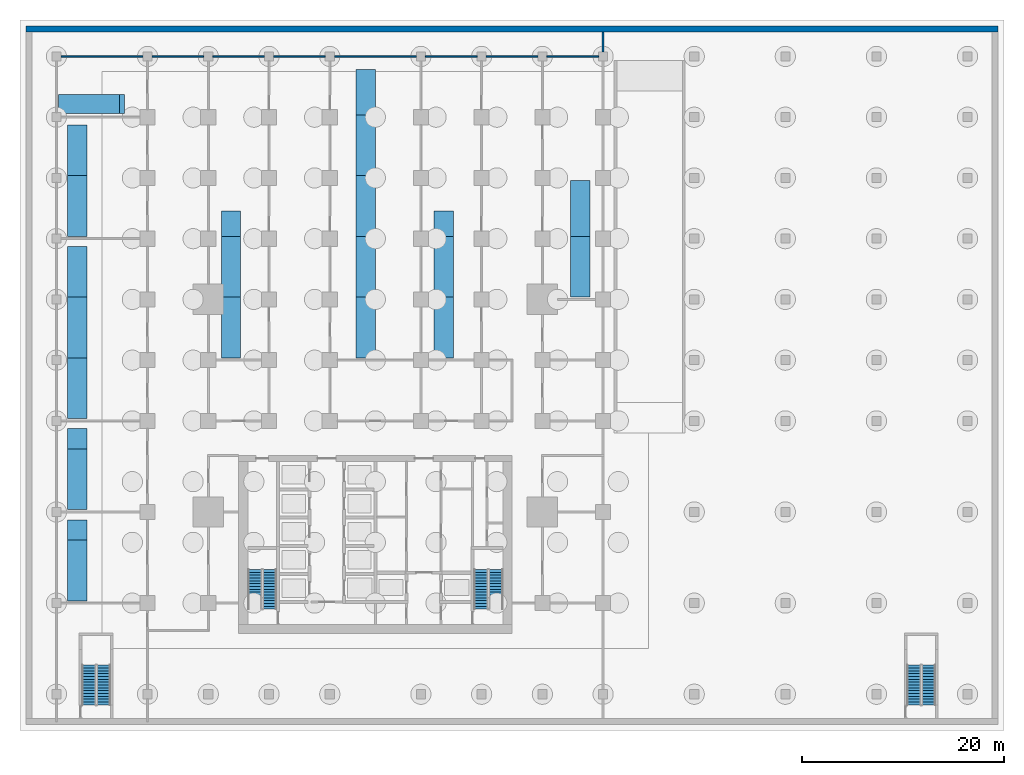
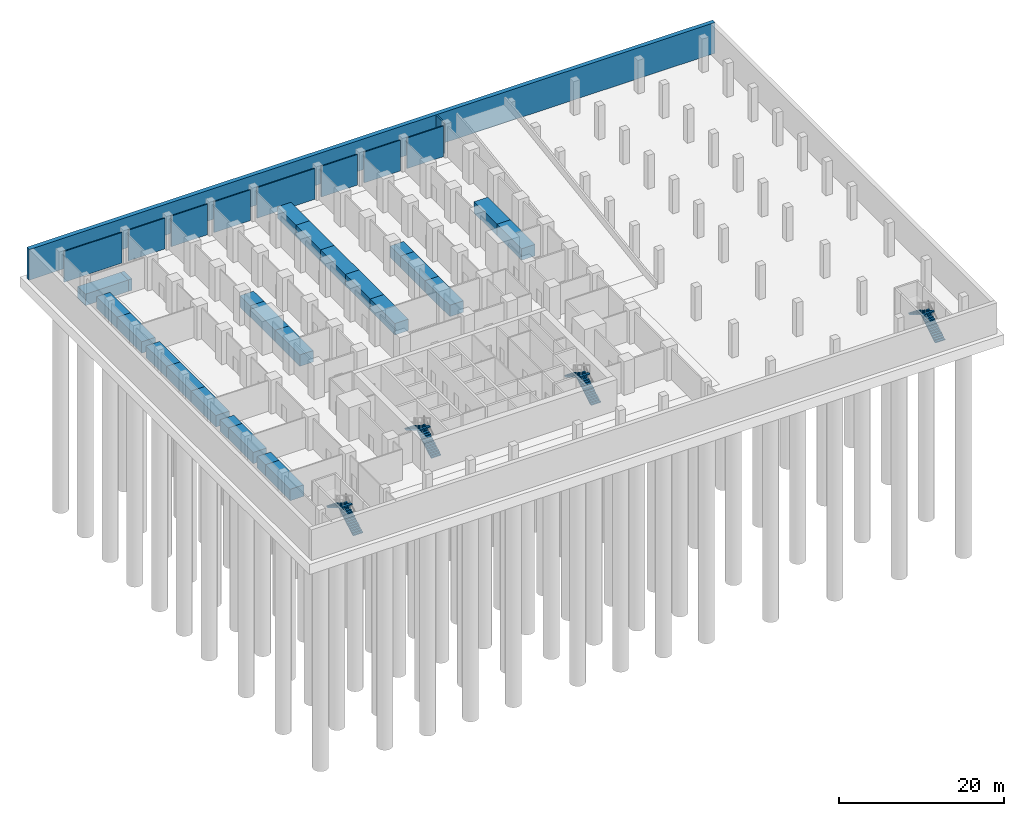
# One storey, part 10 of 12: 24 discrete accessories, 10 walls, 8 stair flights, 4 elements without a shape of their own.
"""IFC4 building model written with IfcOpenShell, lengths in metres."""

from ifc_helpers import new_model, si_unit, direction, frame, frame_2d, origin, origin_2d, place, context, subcontext, project, spatial, polyline, rectangle, outline, extrude, material, layer, layer_set, type_object, element, aggregate, save


model = new_model("IFC4")

# Units and contexts
model_context = context("Model", 3, precision=1e-05, world=origin(), true_north=direction((0.0, 1.0)))
body_context = subcontext(model_context, "Body", "Model", "MODEL_VIEW")
ifc_project = project(units=[si_unit("LENGTHUNIT", "METRE"), si_unit("AREAUNIT", "SQUARE_METRE"), si_unit("VOLUMEUNIT", "CUBIC_METRE"), si_unit("PLANEANGLEUNIT", "RADIAN"), si_unit("MASSUNIT", "GRAM", prefix="KILO")], contexts=[model_context])

# Site, building, storey
site_placement = place(None, origin())
site = spatial("IfcSite", under=ifc_project, at=site_placement, CompositionType="ELEMENT")
building_placement = place(site_placement, origin())
building = spatial("IfcBuilding", under=site, at=building_placement, Name="Finial Court Residences", CompositionType="ELEMENT")
storey_placement = place(building_placement, frame((0.0, 0.0, -5.0)))
storey = spatial("IfcBuildingStorey", under=building, at=storey_placement, Name="B1", CompositionType="ELEMENT", Elevation=-5.0)

# Walls
ifc_material_1 = material(Name="Concrete C25/30", Category="concrete")
ifc_layer_1 = layer(ifc_material_1, 0.14990234375)
ifc_layer_set_1 = layer_set([ifc_layer_1], Name="Basement partition 150 Concrete C25/30")
wall_type_1 = type_object("IfcWallType", Name="Basement partition 150 Concrete C25/30", PredefinedType="PARTITIONING", material=ifc_layer_set_1)
wall_1_placement = place(storey_placement, frame((-31.050048828125, 31.5, 0.0), z_axis=(0.0, 0.0, 1.0), x_axis=(1.0, 0.0, 0.0)))
element("IfcWall", 1, at=wall_1_placement, inside=storey, type_object=wall_type_1, Name="Basement partition B1-V025", PredefinedType="PARTITIONING", context=body_context, shape_type="SweptSolid", body=[
    extrude(rectangle(XDim=8.10009765625, YDim=0.14990234375, at=frame_2d((4.050048828125, 0.0))), origin(), (0.0, 0.0, 1.0), 4.550048828125),
])
for number, where, z_axis, x_axis, name in (
    (2, (-22.050048828125, 31.5, 0.0), (0.0, 0.0, 1.0), (1.0, 0.0, 0.0), "Basement partition B1-V026"),
    (3, (-16.050048828125, 31.5, 0.0), (0.0, 0.0, 1.0), (1.0, 0.0, 0.0), "Basement partition B1-V027"),
    (4, (-10.050048828125, 31.5, 0.0), (0.0, 0.0, 1.0), (1.0, 0.0, 0.0), "Basement partition B1-V028"),
):
    element("IfcWall", number, at=place(storey_placement, frame(where, z_axis=z_axis, x_axis=x_axis)), inside=storey, type_object=wall_type_1, Name=name, PredefinedType="PARTITIONING", context=body_context, shape_type="SweptSolid", body=[
        extrude(rectangle(XDim=5.10009765625, YDim=0.14990234375, at=frame_2d((2.550048828125, 0.0))), origin(), (0.0, 0.0, 1.0), 4.550048828125),
    ])
wall_2_placement = place(storey_placement, frame((-4.050048828125, 31.5, 0.0), z_axis=(0.0, 0.0, 1.0), x_axis=(1.0, 0.0, 0.0)))
element("IfcWall", 5, at=wall_2_placement, inside=storey, type_object=wall_type_1, Name="Basement partition B1-V029", PredefinedType="PARTITIONING", context=body_context, shape_type="SweptSolid", body=[
    extrude(rectangle(XDim=8.10009765625, YDim=0.14990234375, at=frame_2d((4.050048828125, 0.0))), origin(), (0.0, 0.0, 1.0), 4.550048828125),
])
for number, where, z_axis, x_axis, name in (
    (6, (4.949951171875, 31.5, 0.0), (0.0, 0.0, 1.0), (1.0, 0.0, 0.0), "Basement partition B1-V030"),
    (7, (10.949951171875, 31.5, 0.0), (0.0, 0.0, 1.0), (1.0, 0.0, 0.0), "Basement partition B1-V031"),
    (8, (16.949951171875, 31.5, 0.0), (0.0, 0.0, 1.0), (1.0, 0.0, 0.0), "Basement partition B1-V032"),
):
    element("IfcWall", number, at=place(storey_placement, frame(where, z_axis=z_axis, x_axis=x_axis)), inside=storey, type_object=wall_type_1, Name=name, PredefinedType="PARTITIONING", context=body_context, shape_type="SweptSolid", body=[
        extrude(rectangle(XDim=5.10009765625, YDim=0.14990234375, at=frame_2d((2.550048828125, 0.0))), origin(), (0.0, 0.0, 1.0), 4.550048828125),
    ])
ifc_material_2 = material(Name="Concrete C40/50", Category="concrete")
ifc_layer_2 = layer(ifc_material_2, 0.60009765625)
ifc_layer_set_2 = layer_set([ifc_layer_2], Name="Basement retaining wall 600 Concrete C40/50")
wall_type_2 = type_object("IfcWallType", Name="Basement retaining wall 600 Concrete C40/50", PredefinedType="SOLIDWALL", material=ifc_layer_set_2)
wall_3_placement = place(storey_placement, frame((-34.5, 34.199951171875, 0.0), z_axis=(0.0, 0.0, 1.0), x_axis=(1.0, 0.0, 0.0)))
element("IfcWall", 9, at=wall_3_placement, inside=storey, type_object=wall_type_2, Name="S:RW:N", PredefinedType="SOLIDWALL", context=body_context, shape_type="SweptSolid", body=[
    extrude(rectangle(XDim=96.0, YDim=0.60009765625, at=frame_2d((48.0, 0.0))), origin(), (0.0, 0.0, 1.0), 4.550048828125),
])
ifc_material_3 = material(Name="Concrete C32/40", Category="concrete")
ifc_layer_3 = layer(ifc_material_3, 0.199951171875)
ifc_layer_set_3 = layer_set([ifc_layer_3], Name="Garage separation wall 200 Concrete C32/40")
wall_type_3 = type_object("IfcWallType", Name="Garage separation wall 200 Concrete C32/40", PredefinedType="SOLIDWALL", material=ifc_layer_set_3)
wall_4_placement = place(storey_placement, frame((22.5, 31.949951171875, 0.0), z_axis=(0.0, 0.0, 1.0), x_axis=(0.0, 1.0, 0.0)))
element("IfcWall", 10, at=wall_4_placement, inside=storey, type_object=wall_type_3, Name="Garage separation wall B1-V107", PredefinedType="SOLIDWALL", context=body_context, shape_type="SweptSolid", body=[
    extrude(rectangle(XDim=1.949951171875, YDim=0.199951171875, at=frame_2d((0.97509765625, 0.0))), origin(), (0.0, 0.0, 1.0), 4.550048828125),
])

# Stair, stair flights
ifc_material_4 = material(Name="Concrete C50/60", Category="concrete")
stair_type = type_object("IfcStairType", Name="Exit stair 30 risers of 166.7 mm", PredefinedType="HALF_TURN_STAIR", material=ifc_material_4)
stair_1_placement = place(storey_placement, origin())
stair_1 = element("IfcStair", 11, at=stair_1_placement, inside=storey, type_object=stair_type, Name="B1 Exit stair ST-1", PredefinedType="HALF_TURN_STAIR")
stair_flight_type = type_object("IfcStairFlightType", Name="Exit stair flight", PredefinedType="STRAIGHT", material=ifc_material_4)
stair_flight_1_placement = place(storey_placement, frame((-10.425048828125, -23.10009765625, 0.0), z_axis=(0.0, 0.0, 1.0), x_axis=(0.0, 1.0, 0.0)))
stair_flight_1 = element("IfcStairFlight", 12, at=stair_flight_1_placement, type_object=stair_flight_type, Name="ST-1 flight 1", NumberOfRisers=15, NumberOfTreads=14, PredefinedType="STRAIGHT", RiserHeight=0.166666667, TreadLength=0.28, context=body_context, shape_type="SweptSolid", body=[
    extrude(outline(polyline([(0.0, 0.0), (0.0, 0.166748046875), (0.280029296875, 0.166748046875), (0.280029296875, 0.333251953125), (0.56005859375, 0.333251953125), (0.56005859375, 0.5), (0.840087890625, 0.5), (0.840087890625, 0.666748046875), (1.1201171875, 0.666748046875), (1.1201171875, 0.833251953125), (1.39990234375, 0.833251953125), (1.39990234375, 1.0), (1.679931640625, 1.0), (1.679931640625, 1.166748046875), (1.9599609375, 1.166748046875), (1.9599609375, 1.333251953125), (2.239990234375, 1.333251953125), (2.239990234375, 1.5), (2.52001953125, 1.5), (2.52001953125, 1.666748046875), (2.800048828125, 1.666748046875), (2.800048828125, 1.833251953125), (3.080078125, 1.833251953125), (3.080078125, 2.0), (3.360107421875, 2.0), (3.360107421875, 2.166748046875), (3.639892578125, 2.166748046875), (3.639892578125, 2.333251953125), (3.919921875, 2.333251953125), (3.919921875, 2.5), (3.919921875, 2.158935546875), (0.29296875, 0.0), (0.0, 0.0)])), frame((0.0, 0.675048828125, 0.0), z_axis=(0.0, -1.0, 0.0), x_axis=(1.0, 0.0, 0.0)), (0.0, 0.0, 1.0), 1.35009765625),
])
stair_flight_2_placement = place(storey_placement, frame((-11.925048828125, -19.179931640625, 2.5), z_axis=(0.0, 0.0, 1.0), x_axis=(0.0, -1.0, 0.0)))
stair_flight_2 = element("IfcStairFlight", 13, at=stair_flight_2_placement, type_object=stair_flight_type, Name="ST-1 flight 2", NumberOfRisers=15, NumberOfTreads=14, PredefinedType="STRAIGHT", RiserHeight=0.166666667, TreadLength=0.28, context=body_context, shape_type="SweptSolid", body=[
    extrude(outline(polyline([(0.0, 0.0), (0.0, 0.166748046875), (0.280029296875, 0.166748046875), (0.280029296875, 0.333251953125), (0.56005859375, 0.333251953125), (0.56005859375, 0.5), (0.840087890625, 0.5), (0.840087890625, 0.666748046875), (1.1201171875, 0.666748046875), (1.1201171875, 0.833251953125), (1.39990234375, 0.833251953125), (1.39990234375, 1.0), (1.679931640625, 1.0), (1.679931640625, 1.166748046875), (1.9599609375, 1.166748046875), (1.9599609375, 1.333251953125), (2.239990234375, 1.333251953125), (2.239990234375, 1.5), (2.52001953125, 1.5), (2.52001953125, 1.666748046875), (2.800048828125, 1.666748046875), (2.800048828125, 1.833251953125), (3.080078125, 1.833251953125), (3.080078125, 2.0), (3.360107421875, 2.0), (3.360107421875, 2.166748046875), (3.639892578125, 2.166748046875), (3.639892578125, 2.333251953125), (3.919921875, 2.333251953125), (3.919921875, 2.5), (3.919921875, 2.158935546875), (0.29296875, 0.0), (0.0, 0.0)])), frame((0.0, 0.675048828125, 0.0), z_axis=(0.0, -1.0, 0.0), x_axis=(1.0, 0.0, 0.0)), (0.0, 0.0, 1.0), 1.35009765625),
])
aggregate(stair_1, [stair_flight_1, stair_flight_2])

stair_2_placement = place(storey_placement, origin())
stair_2 = element("IfcStair", 14, at=stair_2_placement, inside=storey, type_object=stair_type, Name="B1 Exit stair ST-2", PredefinedType="HALF_TURN_STAIR")
stair_flight_3_placement = place(storey_placement, frame((11.925048828125, -23.10009765625, 0.0), z_axis=(0.0, 0.0, 1.0), x_axis=(0.0, 1.0, 0.0)))
stair_flight_3 = element("IfcStairFlight", 15, at=stair_flight_3_placement, type_object=stair_flight_type, Name="ST-2 flight 1", NumberOfRisers=15, NumberOfTreads=14, PredefinedType="STRAIGHT", RiserHeight=0.166666667, TreadLength=0.28, context=body_context, shape_type="SweptSolid", body=[
    extrude(outline(polyline([(0.0, 0.0), (0.0, 0.166748046875), (0.280029296875, 0.166748046875), (0.280029296875, 0.333251953125), (0.56005859375, 0.333251953125), (0.56005859375, 0.5), (0.840087890625, 0.5), (0.840087890625, 0.666748046875), (1.1201171875, 0.666748046875), (1.1201171875, 0.833251953125), (1.39990234375, 0.833251953125), (1.39990234375, 1.0), (1.679931640625, 1.0), (1.679931640625, 1.166748046875), (1.9599609375, 1.166748046875), (1.9599609375, 1.333251953125), (2.239990234375, 1.333251953125), (2.239990234375, 1.5), (2.52001953125, 1.5), (2.52001953125, 1.666748046875), (2.800048828125, 1.666748046875), (2.800048828125, 1.833251953125), (3.080078125, 1.833251953125), (3.080078125, 2.0), (3.360107421875, 2.0), (3.360107421875, 2.166748046875), (3.639892578125, 2.166748046875), (3.639892578125, 2.333251953125), (3.919921875, 2.333251953125), (3.919921875, 2.5), (3.919921875, 2.158935546875), (0.29296875, 0.0), (0.0, 0.0)])), frame((0.0, 0.675048828125, 0.0), z_axis=(0.0, -1.0, 0.0), x_axis=(1.0, 0.0, 0.0)), (0.0, 0.0, 1.0), 1.35009765625),
])
stair_flight_4_placement = place(storey_placement, frame((10.425048828125, -19.179931640625, 2.5), z_axis=(0.0, 0.0, 1.0), x_axis=(0.0, -1.0, 0.0)))
stair_flight_4 = element("IfcStairFlight", 16, at=stair_flight_4_placement, type_object=stair_flight_type, Name="ST-2 flight 2", NumberOfRisers=15, NumberOfTreads=14, PredefinedType="STRAIGHT", RiserHeight=0.166666667, TreadLength=0.28, context=body_context, shape_type="SweptSolid", body=[
    extrude(outline(polyline([(0.0, 0.0), (0.0, 0.166748046875), (0.280029296875, 0.166748046875), (0.280029296875, 0.333251953125), (0.56005859375, 0.333251953125), (0.56005859375, 0.5), (0.840087890625, 0.5), (0.840087890625, 0.666748046875), (1.1201171875, 0.666748046875), (1.1201171875, 0.833251953125), (1.39990234375, 0.833251953125), (1.39990234375, 1.0), (1.679931640625, 1.0), (1.679931640625, 1.166748046875), (1.9599609375, 1.166748046875), (1.9599609375, 1.333251953125), (2.239990234375, 1.333251953125), (2.239990234375, 1.5), (2.52001953125, 1.5), (2.52001953125, 1.666748046875), (2.800048828125, 1.666748046875), (2.800048828125, 1.833251953125), (3.080078125, 1.833251953125), (3.080078125, 2.0), (3.360107421875, 2.0), (3.360107421875, 2.166748046875), (3.639892578125, 2.166748046875), (3.639892578125, 2.333251953125), (3.919921875, 2.333251953125), (3.919921875, 2.5), (3.919921875, 2.158935546875), (0.29296875, 0.0), (0.0, 0.0)])), frame((0.0, 0.675048828125, 0.0), z_axis=(0.0, -1.0, 0.0), x_axis=(1.0, 0.0, 0.0)), (0.0, 0.0, 1.0), 1.35009765625),
])
aggregate(stair_2, [stair_flight_3, stair_flight_4])

stair_3_placement = place(storey_placement, origin())
stair_3 = element("IfcStair", 17, at=stair_3_placement, inside=storey, type_object=stair_type, Name="B1 Exit Stair 3", PredefinedType="HALF_TURN_STAIR")
stair_flight_5_placement = place(storey_placement, frame((54.675048828125, -32.550048828125, 0.0), z_axis=(0.0, 0.0, 1.0), x_axis=(0.0, 1.0, 0.0)))
stair_flight_5 = element("IfcStairFlight", 18, at=stair_flight_5_placement, type_object=stair_flight_type, Name="ST-3 flight 1", NumberOfRisers=15, NumberOfTreads=14, PredefinedType="STRAIGHT", RiserHeight=0.166666667, TreadLength=0.28, context=body_context, shape_type="SweptSolid", body=[
    extrude(outline(polyline([(0.0, 0.0), (0.0, 0.166748046875), (0.280029296875, 0.166748046875), (0.280029296875, 0.333251953125), (0.56005859375, 0.333251953125), (0.56005859375, 0.5), (0.840087890625, 0.5), (0.840087890625, 0.666748046875), (1.1201171875, 0.666748046875), (1.1201171875, 0.833251953125), (1.39990234375, 0.833251953125), (1.39990234375, 1.0), (1.679931640625, 1.0), (1.679931640625, 1.166748046875), (1.9599609375, 1.166748046875), (1.9599609375, 1.333251953125), (2.239990234375, 1.333251953125), (2.239990234375, 1.5), (2.52001953125, 1.5), (2.52001953125, 1.666748046875), (2.800048828125, 1.666748046875), (2.800048828125, 1.833251953125), (3.080078125, 1.833251953125), (3.080078125, 2.0), (3.360107421875, 2.0), (3.360107421875, 2.166748046875), (3.639892578125, 2.166748046875), (3.639892578125, 2.333251953125), (3.919921875, 2.333251953125), (3.919921875, 2.5), (3.919921875, 2.158935546875), (0.29296875, 0.0), (0.0, 0.0)])), frame((0.0, 0.675048828125, 0.0), z_axis=(0.0, -1.0, 0.0), x_axis=(1.0, 0.0, 0.0)), (0.0, 0.0, 1.0), 1.35009765625),
])
stair_flight_6_placement = place(storey_placement, frame((53.175048828125, -28.6298828125, 2.5), z_axis=(0.0, 0.0, 1.0), x_axis=(0.0, -1.0, 0.0)))
stair_flight_6 = element("IfcStairFlight", 19, at=stair_flight_6_placement, type_object=stair_flight_type, Name="ST-3 flight 2", NumberOfRisers=15, NumberOfTreads=14, PredefinedType="STRAIGHT", RiserHeight=0.166666667, TreadLength=0.28, context=body_context, shape_type="SweptSolid", body=[
    extrude(outline(polyline([(0.0, 0.0), (0.0, 0.166748046875), (0.280029296875, 0.166748046875), (0.280029296875, 0.333251953125), (0.56005859375, 0.333251953125), (0.56005859375, 0.5), (0.840087890625, 0.5), (0.840087890625, 0.666748046875), (1.1201171875, 0.666748046875), (1.1201171875, 0.833251953125), (1.39990234375, 0.833251953125), (1.39990234375, 1.0), (1.679931640625, 1.0), (1.679931640625, 1.166748046875), (1.9599609375, 1.166748046875), (1.9599609375, 1.333251953125), (2.239990234375, 1.333251953125), (2.239990234375, 1.5), (2.52001953125, 1.5), (2.52001953125, 1.666748046875), (2.800048828125, 1.666748046875), (2.800048828125, 1.833251953125), (3.080078125, 1.833251953125), (3.080078125, 2.0), (3.360107421875, 2.0), (3.360107421875, 2.166748046875), (3.639892578125, 2.166748046875), (3.639892578125, 2.333251953125), (3.919921875, 2.333251953125), (3.919921875, 2.5), (3.919921875, 2.158935546875), (0.29296875, 0.0), (0.0, 0.0)])), frame((0.0, 0.675048828125, 0.0), z_axis=(0.0, -1.0, 0.0), x_axis=(1.0, 0.0, 0.0)), (0.0, 0.0, 1.0), 1.35009765625),
])
aggregate(stair_3, [stair_flight_5, stair_flight_6])

stair_4_placement = place(storey_placement, origin())
stair_4 = element("IfcStair", 20, at=stair_4_placement, inside=storey, type_object=stair_type, Name="B1 Exit Stair 4", PredefinedType="HALF_TURN_STAIR")
stair_flight_7_placement = place(storey_placement, frame((-26.824951171875, -32.550048828125, 0.0), z_axis=(0.0, 0.0, 1.0), x_axis=(0.0, 1.0, 0.0)))
stair_flight_7 = element("IfcStairFlight", 21, at=stair_flight_7_placement, type_object=stair_flight_type, Name="ST-4 flight 1", NumberOfRisers=15, NumberOfTreads=14, PredefinedType="STRAIGHT", RiserHeight=0.166666667, TreadLength=0.28, context=body_context, shape_type="SweptSolid", body=[
    extrude(outline(polyline([(0.0, 0.0), (0.0, 0.166748046875), (0.280029296875, 0.166748046875), (0.280029296875, 0.333251953125), (0.56005859375, 0.333251953125), (0.56005859375, 0.5), (0.840087890625, 0.5), (0.840087890625, 0.666748046875), (1.1201171875, 0.666748046875), (1.1201171875, 0.833251953125), (1.39990234375, 0.833251953125), (1.39990234375, 1.0), (1.679931640625, 1.0), (1.679931640625, 1.166748046875), (1.9599609375, 1.166748046875), (1.9599609375, 1.333251953125), (2.239990234375, 1.333251953125), (2.239990234375, 1.5), (2.52001953125, 1.5), (2.52001953125, 1.666748046875), (2.800048828125, 1.666748046875), (2.800048828125, 1.833251953125), (3.080078125, 1.833251953125), (3.080078125, 2.0), (3.360107421875, 2.0), (3.360107421875, 2.166748046875), (3.639892578125, 2.166748046875), (3.639892578125, 2.333251953125), (3.919921875, 2.333251953125), (3.919921875, 2.5), (3.919921875, 2.158935546875), (0.29296875, 0.0), (0.0, 0.0)])), frame((0.0, 0.675048828125, 0.0), z_axis=(0.0, -1.0, 0.0), x_axis=(1.0, 0.0, 0.0)), (0.0, 0.0, 1.0), 1.35009765625),
])
stair_flight_8_placement = place(storey_placement, frame((-28.324951171875, -28.6298828125, 2.5), z_axis=(0.0, 0.0, 1.0), x_axis=(0.0, -1.0, 0.0)))
stair_flight_8 = element("IfcStairFlight", 22, at=stair_flight_8_placement, type_object=stair_flight_type, Name="ST-4 flight 2", NumberOfRisers=15, NumberOfTreads=14, PredefinedType="STRAIGHT", RiserHeight=0.166666667, TreadLength=0.28, context=body_context, shape_type="SweptSolid", body=[
    extrude(outline(polyline([(0.0, 0.0), (0.0, 0.166748046875), (0.280029296875, 0.166748046875), (0.280029296875, 0.333251953125), (0.56005859375, 0.333251953125), (0.56005859375, 0.5), (0.840087890625, 0.5), (0.840087890625, 0.666748046875), (1.1201171875, 0.666748046875), (1.1201171875, 0.833251953125), (1.39990234375, 0.833251953125), (1.39990234375, 1.0), (1.679931640625, 1.0), (1.679931640625, 1.166748046875), (1.9599609375, 1.166748046875), (1.9599609375, 1.333251953125), (2.239990234375, 1.333251953125), (2.239990234375, 1.5), (2.52001953125, 1.5), (2.52001953125, 1.666748046875), (2.800048828125, 1.666748046875), (2.800048828125, 1.833251953125), (3.080078125, 1.833251953125), (3.080078125, 2.0), (3.360107421875, 2.0), (3.360107421875, 2.166748046875), (3.639892578125, 2.166748046875), (3.639892578125, 2.333251953125), (3.919921875, 2.333251953125), (3.919921875, 2.5), (3.919921875, 2.158935546875), (0.29296875, 0.0), (0.0, 0.0)])), frame((0.0, 0.675048828125, 0.0), z_axis=(0.0, -1.0, 0.0), x_axis=(1.0, 0.0, 0.0)), (0.0, 0.0, 1.0), 1.35009765625),
])
aggregate(stair_4, [stair_flight_7, stair_flight_8])

# Discrete accessories
ifc_material_5 = material(Name="Galvanised steel", Category="steel")
discrete_accessory_type = type_object("IfcDiscreteAccessoryType", Name="Two-tier bicycle rack", PredefinedType="USERDEFINED", material=ifc_material_5)
for number, where, z_axis, x_axis, name in (
    (23, (-14.25, 4.72509765625, 0.0), (0.0, 0.0, 1.0), (1.0, 0.0, 0.0), "Bicycle rack 01 (24 bicycles)"),
    (24, (-14.25, 10.72509765625, 0.0), (0.0, 0.0, 1.0), (1.0, 0.0, 0.0), "Bicycle rack 02 (24 bicycles)"),
):
    element("IfcDiscreteAccessory", number, at=place(storey_placement, frame(where, z_axis=z_axis, x_axis=x_axis)), inside=storey, type_object=discrete_accessory_type, Name=name, ObjectType="BICYCLE RACK", PredefinedType="USERDEFINED", context=body_context, shape_type="SweptSolid", body=[
        extrude(rectangle(XDim=1.89990234375, YDim=6.0, at=origin_2d()), origin(), (0.0, 0.0, 1.0), 1.699951171875),
    ])
discrete_accessory_1_placement = place(storey_placement, frame((-14.25, 14.97509765625, 0.0), z_axis=(0.0, 0.0, 1.0), x_axis=(1.0, 0.0, 0.0)))
element("IfcDiscreteAccessory", 25, at=discrete_accessory_1_placement, inside=storey, type_object=discrete_accessory_type, Name="Bicycle rack 03 (9 bicycles)", ObjectType="BICYCLE RACK", PredefinedType="USERDEFINED", context=body_context, shape_type="SweptSolid", body=[
    extrude(rectangle(XDim=1.89990234375, YDim=2.5, at=origin_2d()), origin(), (0.0, 0.0, 1.0), 1.699951171875),
])
for number, where, z_axis, x_axis, name in (
    (26, (-0.949951171875, 4.72509765625, 0.0), (0.0, 0.0, 1.0), (1.0, 0.0, 0.0), "Bicycle rack 04 (24 bicycles)"),
    (27, (-0.949951171875, 10.72509765625, 0.0), (0.0, 0.0, 1.0), (1.0, 0.0, 0.0), "Bicycle rack 05 (24 bicycles)"),
    (28, (-0.949951171875, 16.72509765625, 0.0), (0.0, 0.0, 1.0), (1.0, 0.0, 0.0), "Bicycle rack 06 (24 bicycles)"),
    (29, (-0.949951171875, 22.72509765625, 0.0), (0.0, 0.0, 1.0), (1.0, 0.0, 0.0), "Bicycle rack 07 (24 bicycles)"),
):
    element("IfcDiscreteAccessory", number, at=place(storey_placement, frame(where, z_axis=z_axis, x_axis=x_axis)), inside=storey, type_object=discrete_accessory_type, Name=name, ObjectType="BICYCLE RACK", PredefinedType="USERDEFINED", context=body_context, shape_type="SweptSolid", body=[
        extrude(rectangle(XDim=1.89990234375, YDim=6.0, at=origin_2d()), origin(), (0.0, 0.0, 1.0), 1.699951171875),
    ])
discrete_accessory_2_placement = place(storey_placement, frame((-0.949951171875, 27.97509765625, 0.0), z_axis=(0.0, 0.0, 1.0), x_axis=(1.0, 0.0, 0.0)))
element("IfcDiscreteAccessory", 30, at=discrete_accessory_2_placement, inside=storey, type_object=discrete_accessory_type, Name="Bicycle rack 08 (18 bicycles)", ObjectType="BICYCLE RACK", PredefinedType="USERDEFINED", context=body_context, shape_type="SweptSolid", body=[
    extrude(rectangle(XDim=1.89990234375, YDim=4.5, at=origin_2d()), origin(), (0.0, 0.0, 1.0), 1.699951171875),
])
for number, where, z_axis, x_axis, name in (
    (31, (6.75, 4.72509765625, 0.0), (0.0, 0.0, 1.0), (1.0, 0.0, 0.0), "Bicycle rack 09 (24 bicycles)"),
    (32, (6.75, 10.72509765625, 0.0), (0.0, 0.0, 1.0), (1.0, 0.0, 0.0), "Bicycle rack 10 (24 bicycles)"),
):
    element("IfcDiscreteAccessory", number, at=place(storey_placement, frame(where, z_axis=z_axis, x_axis=x_axis)), inside=storey, type_object=discrete_accessory_type, Name=name, ObjectType="BICYCLE RACK", PredefinedType="USERDEFINED", context=body_context, shape_type="SweptSolid", body=[
        extrude(rectangle(XDim=1.89990234375, YDim=6.0, at=origin_2d()), origin(), (0.0, 0.0, 1.0), 1.699951171875),
    ])
discrete_accessory_3_placement = place(storey_placement, frame((6.75, 14.97509765625, 0.0), z_axis=(0.0, 0.0, 1.0), x_axis=(1.0, 0.0, 0.0)))
element("IfcDiscreteAccessory", 33, at=discrete_accessory_3_placement, inside=storey, type_object=discrete_accessory_type, Name="Bicycle rack 11 (9 bicycles)", ObjectType="BICYCLE RACK", PredefinedType="USERDEFINED", context=body_context, shape_type="SweptSolid", body=[
    extrude(rectangle(XDim=1.89990234375, YDim=2.5, at=origin_2d()), origin(), (0.0, 0.0, 1.0), 1.699951171875),
])
discrete_accessory_4_placement = place(storey_placement, frame((20.25, 10.72509765625, 0.0), z_axis=(0.0, 0.0, 1.0), x_axis=(1.0, 0.0, 0.0)))
element("IfcDiscreteAccessory", 34, at=discrete_accessory_4_placement, inside=storey, type_object=discrete_accessory_type, Name="Bicycle rack 12 (24 bicycles)", ObjectType="BICYCLE RACK", PredefinedType="USERDEFINED", context=body_context, shape_type="SweptSolid", body=[
    extrude(rectangle(XDim=1.89990234375, YDim=6.0, at=origin_2d()), origin(), (0.0, 0.0, 1.0), 1.699951171875),
])
discrete_accessory_5_placement = place(storey_placement, frame((20.25, 16.47509765625, 0.0), z_axis=(0.0, 0.0, 1.0), x_axis=(1.0, 0.0, 0.0)))
element("IfcDiscreteAccessory", 35, at=discrete_accessory_5_placement, inside=storey, type_object=discrete_accessory_type, Name="Bicycle rack 13 (22 bicycles)", ObjectType="BICYCLE RACK", PredefinedType="USERDEFINED", context=body_context, shape_type="SweptSolid", body=[
    extrude(rectangle(XDim=1.89990234375, YDim=5.5, at=origin_2d()), origin(), (0.0, 0.0, 1.0), 1.699951171875),
])
discrete_accessory_6_placement = place(storey_placement, frame((-29.449951171875, -19.27490234375, 0.0), z_axis=(0.0, 0.0, 1.0), x_axis=(1.0, 0.0, 0.0)))
element("IfcDiscreteAccessory", 36, at=discrete_accessory_6_placement, inside=storey, type_object=discrete_accessory_type, Name="Bicycle rack 14 (24 bicycles)", ObjectType="BICYCLE RACK", PredefinedType="USERDEFINED", context=body_context, shape_type="SweptSolid", body=[
    extrude(rectangle(XDim=1.89990234375, YDim=6.0, at=origin_2d()), origin(), (0.0, 0.0, 1.0), 1.699951171875),
])
discrete_accessory_7_placement = place(storey_placement, frame((-29.449951171875, -15.27490234375, 0.0), z_axis=(0.0, 0.0, 1.0), x_axis=(1.0, 0.0, 0.0)))
element("IfcDiscreteAccessory", 37, at=discrete_accessory_7_placement, inside=storey, type_object=discrete_accessory_type, Name="Bicycle rack 15 (8 bicycles)", ObjectType="BICYCLE RACK", PredefinedType="USERDEFINED", context=body_context, shape_type="SweptSolid", body=[
    extrude(rectangle(XDim=1.89990234375, YDim=2.0, at=origin_2d()), origin(), (0.0, 0.0, 1.0), 1.699951171875),
])
discrete_accessory_8_placement = place(storey_placement, frame((-29.449951171875, -10.27490234375, 0.0), z_axis=(0.0, 0.0, 1.0), x_axis=(1.0, 0.0, 0.0)))
element("IfcDiscreteAccessory", 38, at=discrete_accessory_8_placement, inside=storey, type_object=discrete_accessory_type, Name="Bicycle rack 16 (24 bicycles)", ObjectType="BICYCLE RACK", PredefinedType="USERDEFINED", context=body_context, shape_type="SweptSolid", body=[
    extrude(rectangle(XDim=1.89990234375, YDim=6.0, at=origin_2d()), origin(), (0.0, 0.0, 1.0), 1.699951171875),
])
discrete_accessory_9_placement = place(storey_placement, frame((-29.449951171875, -6.27490234375, 0.0), z_axis=(0.0, 0.0, 1.0), x_axis=(1.0, 0.0, 0.0)))
element("IfcDiscreteAccessory", 39, at=discrete_accessory_9_placement, inside=storey, type_object=discrete_accessory_type, Name="Bicycle rack 17 (8 bicycles)", ObjectType="BICYCLE RACK", PredefinedType="USERDEFINED", context=body_context, shape_type="SweptSolid", body=[
    extrude(rectangle(XDim=1.89990234375, YDim=2.0, at=origin_2d()), origin(), (0.0, 0.0, 1.0), 1.699951171875),
])
for number, where, z_axis, x_axis, name in (
    (40, (-29.449951171875, -1.27490234375, 0.0), (0.0, 0.0, 1.0), (1.0, 0.0, 0.0), "Bicycle rack 18 (24 bicycles)"),
    (41, (-29.449951171875, 4.72509765625, 0.0), (0.0, 0.0, 1.0), (1.0, 0.0, 0.0), "Bicycle rack 19 (24 bicycles)"),
):
    element("IfcDiscreteAccessory", number, at=place(storey_placement, frame(where, z_axis=z_axis, x_axis=x_axis)), inside=storey, type_object=discrete_accessory_type, Name=name, ObjectType="BICYCLE RACK", PredefinedType="USERDEFINED", context=body_context, shape_type="SweptSolid", body=[
        extrude(rectangle(XDim=1.89990234375, YDim=6.0, at=origin_2d()), origin(), (0.0, 0.0, 1.0), 1.699951171875),
    ])
discrete_accessory_10_placement = place(storey_placement, frame((-29.449951171875, 10.22509765625, 0.0), z_axis=(0.0, 0.0, 1.0), x_axis=(1.0, 0.0, 0.0)))
element("IfcDiscreteAccessory", 42, at=discrete_accessory_10_placement, inside=storey, type_object=discrete_accessory_type, Name="Bicycle rack 20 (20 bicycles)", ObjectType="BICYCLE RACK", PredefinedType="USERDEFINED", context=body_context, shape_type="SweptSolid", body=[
    extrude(rectangle(XDim=1.89990234375, YDim=5.0, at=origin_2d()), origin(), (0.0, 0.0, 1.0), 1.699951171875),
])
discrete_accessory_11_placement = place(storey_placement, frame((-29.449951171875, 16.72509765625, 0.0), z_axis=(0.0, 0.0, 1.0), x_axis=(1.0, 0.0, 0.0)))
element("IfcDiscreteAccessory", 43, at=discrete_accessory_11_placement, inside=storey, type_object=discrete_accessory_type, Name="Bicycle rack 21 (24 bicycles)", ObjectType="BICYCLE RACK", PredefinedType="USERDEFINED", context=body_context, shape_type="SweptSolid", body=[
    extrude(rectangle(XDim=1.89990234375, YDim=6.0, at=origin_2d()), origin(), (0.0, 0.0, 1.0), 1.699951171875),
])
discrete_accessory_12_placement = place(storey_placement, frame((-29.449951171875, 22.22509765625, 0.0), z_axis=(0.0, 0.0, 1.0), x_axis=(1.0, 0.0, 0.0)))
element("IfcDiscreteAccessory", 44, at=discrete_accessory_12_placement, inside=storey, type_object=discrete_accessory_type, Name="Bicycle rack 22 (20 bicycles)", ObjectType="BICYCLE RACK", PredefinedType="USERDEFINED", context=body_context, shape_type="SweptSolid", body=[
    extrude(rectangle(XDim=1.89990234375, YDim=5.0, at=origin_2d()), origin(), (0.0, 0.0, 1.0), 1.699951171875),
])
discrete_accessory_13_placement = place(storey_placement, frame((-28.27490234375, 26.800048828125, 0.0), z_axis=(0.0, 0.0, 1.0), x_axis=(1.0, 0.0, 0.0)))
element("IfcDiscreteAccessory", 45, at=discrete_accessory_13_placement, inside=storey, type_object=discrete_accessory_type, Name="Bicycle rack 23 (24 bicycles)", ObjectType="BICYCLE RACK", PredefinedType="USERDEFINED", context=body_context, shape_type="SweptSolid", body=[
    extrude(rectangle(XDim=6.0, YDim=1.89990234375, at=origin_2d()), origin(), (0.0, 0.0, 1.0), 1.699951171875),
])
discrete_accessory_14_placement = place(storey_placement, frame((-25.02490234375, 26.800048828125, 0.0), z_axis=(0.0, 0.0, 1.0), x_axis=(1.0, 0.0, 0.0)))
element("IfcDiscreteAccessory", 46, at=discrete_accessory_14_placement, inside=storey, type_object=discrete_accessory_type, Name="Bicycle rack 24 (2 bicycles)", ObjectType="BICYCLE RACK", PredefinedType="USERDEFINED", context=body_context, shape_type="SweptSolid", body=[
    extrude(rectangle(XDim=0.5, YDim=1.89990234375, at=origin_2d()), origin(), (0.0, 0.0, 1.0), 1.699951171875),
])

save(model, "model.ifc")
